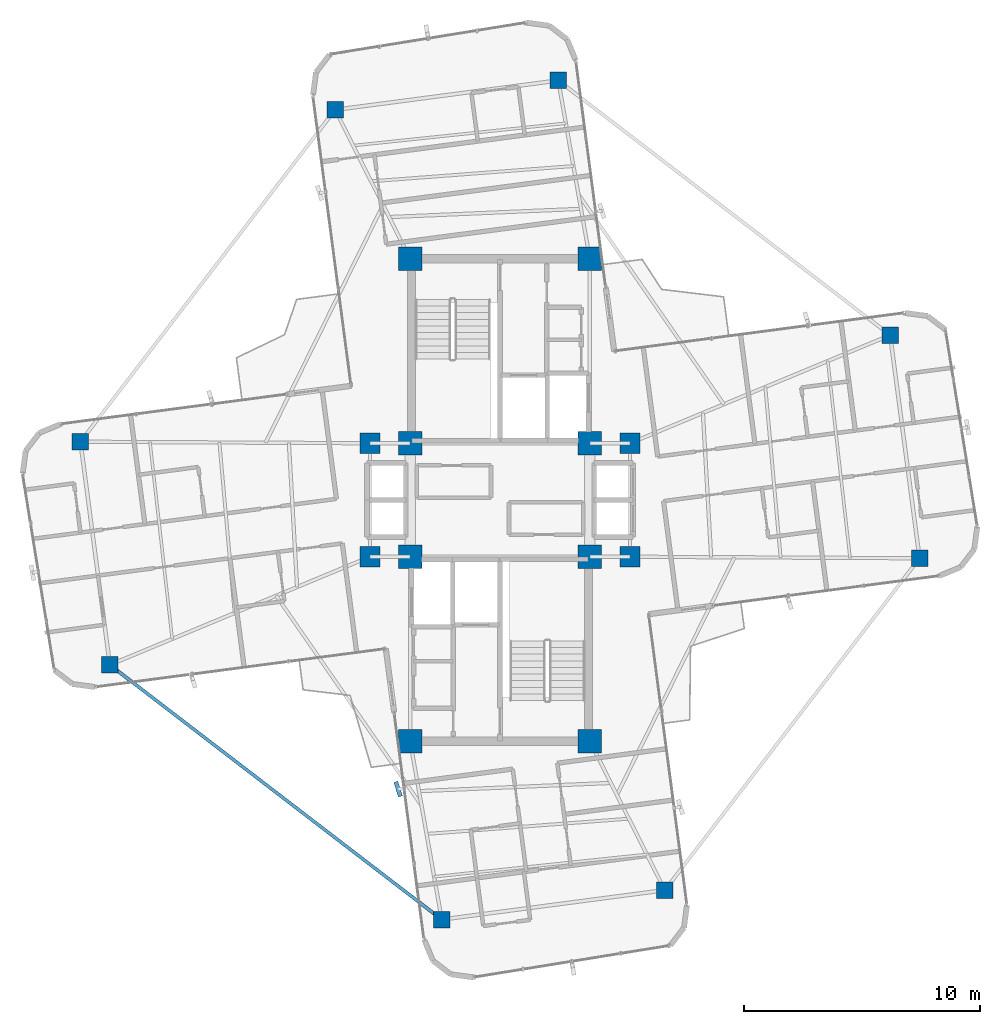
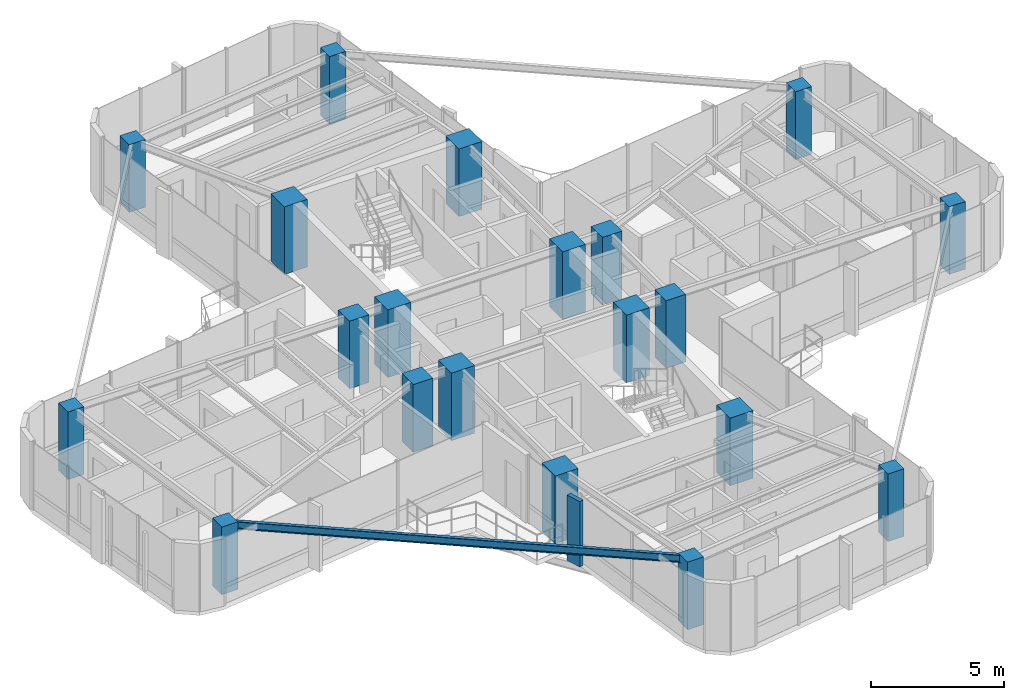
# One storey, part 1 of 23: 20 columns, 1 beam, 1 member, 1 element without a shape of its own.
"""IFC4 building model written with IfcOpenShell, lengths in metres."""

from ifc_helpers import new_model, si_unit, direction, frame, origin, origin_2d, place, context, subcontext, project, spatial, rectangle, i_section, extrude, source, transform, mapped, material, material_profile, profile_set, type_object, element, aggregate, save


model = new_model("IFC4")

# Units and contexts
model_context = context("Model", 3, precision=1e-05, world=origin(), true_north=direction((0.0, 1.0)))
body_context = subcontext(model_context, "Body", "Model", "MODEL_VIEW")
ifc_project = project(units=[si_unit("LENGTHUNIT", "METRE"), si_unit("AREAUNIT", "SQUARE_METRE"), si_unit("VOLUMEUNIT", "CUBIC_METRE"), si_unit("PLANEANGLEUNIT", "RADIAN"), si_unit("MASSUNIT", "GRAM", prefix="KILO")], contexts=[model_context])

# Site, building, storey
site_placement = place(None, origin())
site = spatial("IfcSite", under=ifc_project, at=site_placement, CompositionType="ELEMENT")
building_placement = place(site_placement, origin())
building = spatial("IfcBuilding", under=site, at=building_placement, Name="Sahyath Konkavel Grand Hotel", CompositionType="ELEMENT")
storey_placement = place(building_placement, frame((0.0, 0.0, 251.199951171875)))
storey = spatial("IfcBuildingStorey", under=building, at=storey_placement, Name="L70", CompositionType="ELEMENT", Elevation=251.199951171875)

# Columns
ifc_material_1 = material(Name="Concrete C50/60", Category="concrete")
ifc_material_profile_1 = material_profile(ifc_material_1, rectangle(XDim=1.0, YDim=1.0, at=origin_2d()), Name="RC 1000x1000")
ifc_profile_set_1 = profile_set([ifc_material_profile_1], Name="Concrete C50/60")
column_type_1 = type_object("IfcColumnType", Name="COL-RC1000", PredefinedType="COLUMN", material=ifc_profile_set_1)
shared_shape_1 = source(origin(), body_context, "Body", "SweptSolid", [
    extrude(rectangle(XDim=1.0, YDim=1.0, at=origin_2d()), origin(), (0.0, 0.0, 1.0), 3.110107421875),
])
for number, where, z_axis, x_axis, name in (
    (1, (-3.800048828125, 2.39990234375, 0.0), (0.0, 0.0, 1.0), (1.0, 0.0, 0.0), "L70 Core Boundary Column NC-SW"),
    (2, (3.800048828125, 2.39990234375, 0.0), (0.0, 0.0, 1.0), (1.0, 0.0, 0.0), "L70 Core Boundary Column NC-SE"),
    (3, (-3.800048828125, 10.199951171875, 0.0), (0.0, 0.0, 1.0), (1.0, 0.0, 0.0), "L70 Core Boundary Column NC-NW"),
    (4, (3.800048828125, 10.199951171875, 0.0), (0.0, 0.0, 1.0), (1.0, 0.0, 0.0), "L70 Core Boundary Column NC-NE"),
    (5, (-3.800048828125, -2.39990234375, 0.0), (0.0, 0.0, 1.0), (1.0, 0.0, 0.0), "L70 Core Boundary Column SC-NW"),
    (6, (3.800048828125, -2.39990234375, 0.0), (0.0, 0.0, 1.0), (1.0, 0.0, 0.0), "L70 Core Boundary Column SC-NE"),
    (7, (-3.800048828125, -10.199951171875, 0.0), (0.0, 0.0, 1.0), (1.0, 0.0, 0.0), "L70 Core Boundary Column SC-SW"),
    (8, (3.800048828125, -10.199951171875, 0.0), (0.0, 0.0, 1.0), (1.0, 0.0, 0.0), "L70 Core Boundary Column SC-SE"),
):
    element("IfcColumn", number, at=place(storey_placement, frame(where, z_axis=z_axis, x_axis=x_axis)), inside=storey, type_object=column_type_1, Name=name, PredefinedType="COLUMN", context=body_context, shape_type="MappedRepresentation", body=[
        mapped(shared_shape_1, transform((0.0, 0.0, 0.0), scale=1.0)),
    ])
ifc_material_2 = material(Name="Concrete C40/50", Category="concrete")
ifc_material_profile_2 = material_profile(ifc_material_2, rectangle(XDim=0.85009765625, YDim=0.85009765625, at=origin_2d()), Name="RC 850x850")
ifc_profile_set_2 = profile_set([ifc_material_profile_2], Name="Concrete C40/50")
column_type_2 = type_object("IfcColumnType", Name="COL-RC850", PredefinedType="COLUMN", material=ifc_profile_set_2)
shared_shape_2 = source(origin(), body_context, "Body", "SweptSolid", [
    extrude(rectangle(XDim=0.85009765625, YDim=0.85009765625, at=origin_2d()), origin(), (0.0, 0.0, 1.0), 3.110107421875),
])
for number, where, z_axis, x_axis, name in (
    (9, (5.5, 2.39990234375, 0.0), (0.0, 0.0, 1.0), (1.0, 0.0, 0.0), "L70 Central Spine Column HB-NE"),
    (10, (-5.5, 2.39990234375, 0.0), (0.0, 0.0, 1.0), (1.0, 0.0, 0.0), "L70 Central Spine Column HB-NW"),
    (11, (5.5, -2.39990234375, 0.0), (0.0, 0.0, 1.0), (1.0, 0.0, 0.0), "L70 Central Spine Column HB-SE"),
    (12, (-5.5, -2.39990234375, 0.0), (0.0, 0.0, 1.0), (1.0, 0.0, 0.0), "L70 Central Spine Column HB-SW"),
):
    element("IfcColumn", number, at=place(storey_placement, frame(where, z_axis=z_axis, x_axis=x_axis)), inside=storey, type_object=column_type_2, Name=name, PredefinedType="COLUMN", context=body_context, shape_type="MappedRepresentation", body=[
        mapped(shared_shape_2, transform((0.0, 0.0, 0.0), scale=1.0)),
    ])
ifc_material_profile_3 = material_profile(ifc_material_2, rectangle(XDim=0.699951171875, YDim=0.699951171875, at=origin_2d()), Name="RC 700x700")
ifc_profile_set_3 = profile_set([ifc_material_profile_3], Name="Concrete C40/50")
column_type_3 = type_object("IfcColumnType", Name="COL-RC700", PredefinedType="COLUMN", material=ifc_profile_set_3)
shared_shape_3 = source(origin(), body_context, "Body", "SweptSolid", [
    extrude(rectangle(XDim=0.699951171875, YDim=0.699951171875, at=origin_2d()), origin(), (0.0, 0.0, 1.0), 3.110107421875),
])
for number, where, z_axis, x_axis, name in (
    (13, (17.740234375, -2.46337890625, 0.0), (0.0, 0.0, 1.0), (1.0, 0.0, 0.0), "L70 Cruciform Wing Column WC-EA"),
    (14, (16.498291015625, 6.97119140625, 0.0), (0.0, 0.0, 1.0), (1.0, 0.0, 0.0), "L70 Cruciform Wing Column WC-EB"),
    (15, (2.46337890625, 17.740234375, 0.0), (0.0, 0.0, 1.0), (1.0, 0.0, 0.0), "L70 Cruciform Wing Column WC-NA"),
    (16, (-6.97119140625, 16.498291015625, 0.0), (0.0, 0.0, 1.0), (1.0, 0.0, 0.0), "L70 Cruciform Wing Column WC-NB"),
    (17, (-17.740234375, 2.46337890625, 0.0), (0.0, 0.0, 1.0), (1.0, 0.0, 0.0), "L70 Cruciform Wing Column WC-WA"),
    (18, (-16.498291015625, -6.97119140625, 0.0), (0.0, 0.0, 1.0), (1.0, 0.0, 0.0), "L70 Cruciform Wing Column WC-WB"),
    (19, (-2.46337890625, -17.740234375, 0.0), (0.0, 0.0, 1.0), (1.0, 0.0, 0.0), "L70 Cruciform Wing Column WC-SA"),
    (20, (6.97119140625, -16.498291015625, 0.0), (0.0, 0.0, 1.0), (1.0, 0.0, 0.0), "L70 Cruciform Wing Column WC-SB"),
):
    element("IfcColumn", number, at=place(storey_placement, frame(where, z_axis=z_axis, x_axis=x_axis)), inside=storey, type_object=column_type_3, Name=name, PredefinedType="COLUMN", context=body_context, shape_type="MappedRepresentation", body=[
        mapped(shared_shape_3, transform((0.0, 0.0, 0.0), scale=1.0)),
    ])

# Beam
ifc_material_3 = material(Name="Steel E350", Category="steel")
ifc_material_profile_4 = material_profile(ifc_material_3, i_section(OverallWidth=0.139892578125, OverallDepth=0.35009765625, WebThickness=0.008056640625, FlangeThickness=0.01416015625, FilletRadius=0.013916015625, at=origin_2d()), Name="ISMB 350")
ifc_profile_set_4 = profile_set([ifc_material_profile_4], Name="Steel E350")
beam_type = type_object("IfcBeamType", Name="BM-ISMB350", PredefinedType="BEAM", material=ifc_profile_set_4)
shared_shape_4 = source(origin(), body_context, "Body", "SweptSolid", [
    extrude(i_section(OverallWidth=0.139892578125, OverallDepth=0.35009765625, WebThickness=0.008056640625, FlangeThickness=0.01416015625, FilletRadius=0.013916015625, at=origin_2d()), origin(), (0.0, 0.0, 1.0), 17.6904296875),
])
beam_placement = place(storey_placement, frame((-16.498291015625, -6.97119140625, 2.93505859375), z_axis=(0.793362182031, -0.608749906055, 0.0), x_axis=(0.608749906055, 0.793362182031, 0.0)))
element("IfcBeam", 21, at=beam_placement, inside=storey, type_object=beam_type, Name="L70 Re-Entrant Tie Beam SW", PredefinedType="BEAM", context=body_context, shape_type="MappedRepresentation", body=[
    mapped(shared_shape_4, transform((0.0, 0.0, 0.0), scale=1.0)),
])

# Curtain wall, member
ifc_material_4 = material(Name="Anodised Bronze Aluminium & Low-E Glazing", Category="aluminium")
curtain_wall_type = type_object("IfcCurtainWallType", Name="CW-ZONE4", PredefinedType="NOTDEFINED", material=ifc_material_4)
curtain_wall_placement = place(storey_placement, origin())
curtain_wall = element("IfcCurtainWall", 22, at=curtain_wall_placement, inside=storey, type_object=curtain_wall_type, Name="L70 Unitised Curtain Wall F24", PredefinedType="NOTDEFINED")
ifc_material_5 = material(Name="Warm Buff Sandstone Cladding on Concrete C50/60", Category="masonry")
ifc_material_profile_5 = material_profile(ifc_material_5, rectangle(XDim=0.179931640625, YDim=0.64990234375, at=origin_2d()), Name="FIN 180x650")
ifc_profile_set_5 = profile_set([ifc_material_profile_5], Name="Warm Buff Sandstone Cladding on Concrete C50/60")
member_type = type_object("IfcMemberType", Name="FIN-SANDSTONE-650", PredefinedType="MULLION", material=ifc_profile_set_5)
shared_shape_5 = source(origin(), body_context, "Body", "SweptSolid", [
    extrude(rectangle(XDim=0.179931640625, YDim=0.64990234375, at=origin_2d()), origin(), (0.0, 0.0, 1.0), 3.010009765625),
])
member_placement = place(storey_placement, frame((-4.30908203125, -12.224609375, 0.050048828125), z_axis=(0.0, 0.0, 1.0), x_axis=(0.953716950748, 0.300705799504, 0.0)))
member = element("IfcMember", 23, at=member_placement, type_object=member_type, Name="L70 Sandstone Vertical Solar Fin FIN F24-1", PredefinedType="MULLION", context=body_context, shape_type="MappedRepresentation", body=[
    mapped(shared_shape_5, transform((0.0, 0.0, 0.0), scale=1.0)),
])
aggregate(curtain_wall, [member])

save(model, "model.ifc")
